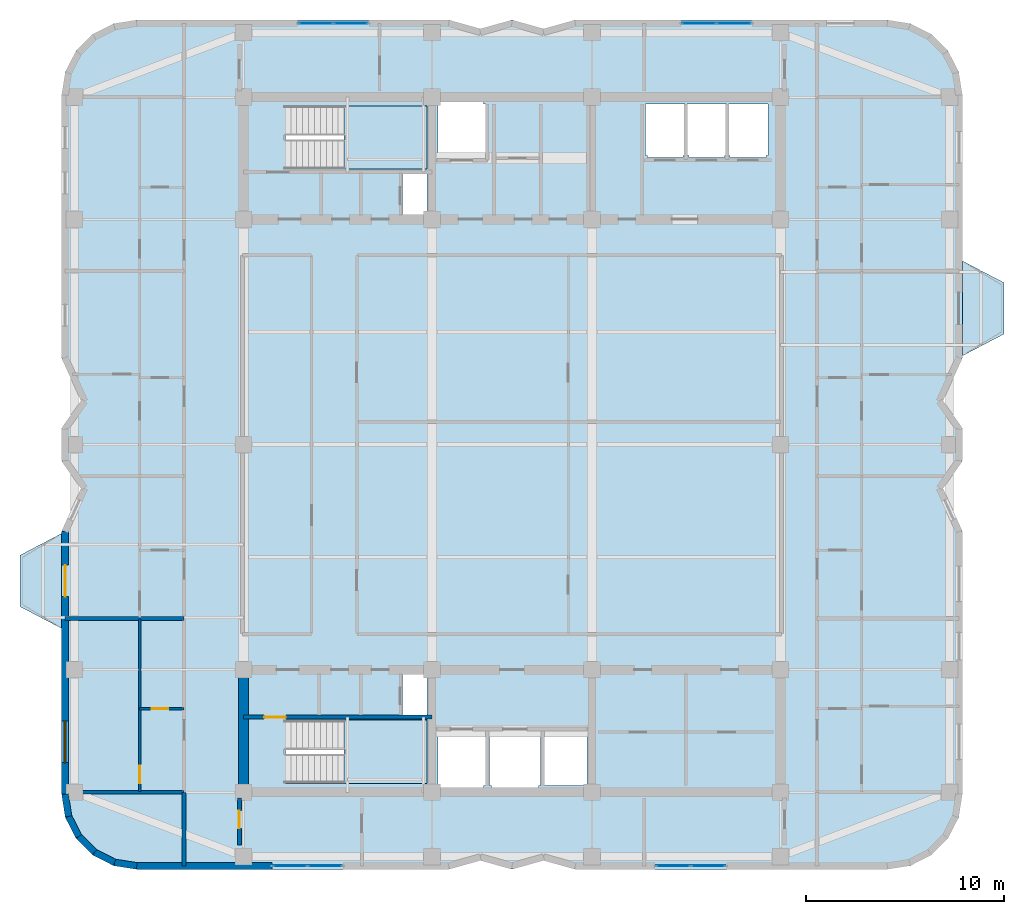
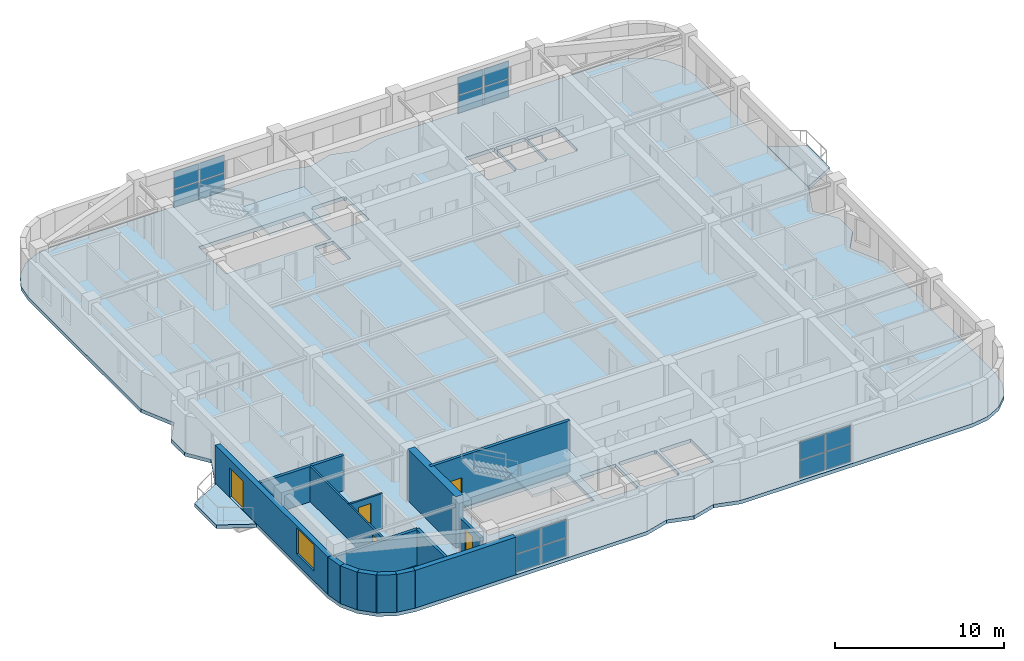
# One storey, part 7 of 14: 16 plates, 15 walls, 5 doors, 5 slabs, 1 window, 6 openings, 6 elements without a shape of their own.
"""IFC4 building model written with IfcOpenShell, lengths in metres."""

from ifc_helpers import new_model, si_unit, direction, frame, frame_2d, origin, origin_2d, place, context, subcontext, project, spatial, polyline, rectangle, outline, extrude, material, layer, layer_set, type_object, element, fill, aggregate, save


model = new_model("IFC4")

# Units and contexts
model_context = context("Model", 3, precision=1e-05, world=origin(), true_north=direction((0.0, 1.0)))
body_context = subcontext(model_context, "Body", "Model", "MODEL_VIEW")
ifc_project = project(units=[si_unit("LENGTHUNIT", "METRE"), si_unit("AREAUNIT", "SQUARE_METRE"), si_unit("VOLUMEUNIT", "CUBIC_METRE"), si_unit("PLANEANGLEUNIT", "RADIAN"), si_unit("MASSUNIT", "GRAM", prefix="KILO")], contexts=[model_context])

# Site, building, storey
site_placement = place(None, origin())
site = spatial("IfcSite", under=ifc_project, at=site_placement, CompositionType="ELEMENT")
building_placement = place(site_placement, origin())
building = spatial("IfcBuilding", under=site, at=building_placement, Name="Svetorya Sky Lyceum", CompositionType="ELEMENT")
storey_placement = place(building_placement, frame((0.0, 0.0, 218.39990234375)))
storey = spatial("IfcBuildingStorey", under=building, at=storey_placement, Name="L54", CompositionType="ELEMENT", Elevation=218.39990234375)

# Curtain wall, plates
ifc_material_1 = material(Name="Thermally broken anodized aluminium and triple low-E glass", Category="aluminium")
curtain_wall_type = type_object("IfcCurtainWallType", Name="CW3-LOG-RES", PredefinedType="NOTDEFINED", material=ifc_material_1)
curtain_wall_1_placement = place(storey_placement, origin())
curtain_wall_1 = element("IfcCurtainWall", 1, at=curtain_wall_1_placement, inside=storey, type_object=curtain_wall_type, Name="L54 Recessed Loggia Curtain Wall 6", PredefinedType="NOTDEFINED")
ifc_material_2 = material(Name="Triple insulated low-E solar-control glass", Category="glass")
ifc_layer_1 = layer(ifc_material_2, 0.048095703125)
ifc_layer_set_1 = layer_set([ifc_layer_1], Name="Triple insulated low-E solar-control glass")
plate_type = type_object("IfcPlateType", Name="CWP-GLZ-48", PredefinedType="CURTAIN_PANEL", material=ifc_layer_set_1)
plate_1_placement = place(storey_placement, frame((27.96630859375, 6.8701171875, 0.0634765625), z_axis=(0.0, 0.0, 1.0), x_axis=(1.0, 0.0, 0.0)))
plate_1 = element("IfcPlate", 2, at=plate_1_placement, type_object=plate_type, Name="CW-3 panel 1.1", PredefinedType="CURTAIN_PANEL", context=body_context, shape_type="SweptSolid", body=[
    extrude(rectangle(XDim=1.70556640625, YDim=0.048095703125, at=origin_2d()), origin(), (0.0, 0.0, 1.0), 1.265380859375),
])
plate_2_placement = place(storey_placement, frame((27.96630859375, 6.8701171875, 1.39111328125), z_axis=(0.0, 0.0, 1.0), x_axis=(1.0, 0.0, 0.0)))
plate_2 = element("IfcPlate", 3, at=plate_2_placement, type_object=plate_type, Name="CW-3 panel 1.2", PredefinedType="CURTAIN_PANEL", context=body_context, shape_type="SweptSolid", body=[
    extrude(rectangle(XDim=1.70556640625, YDim=0.048095703125, at=origin_2d()), origin(), (0.0, 0.0, 1.0), 1.265380859375),
])
plate_3_placement = place(storey_placement, frame((29.733642578125, 6.8701171875, 0.0634765625), z_axis=(0.0, 0.0, 1.0), x_axis=(1.0, 0.0, 0.0)))
plate_3 = element("IfcPlate", 4, at=plate_3_placement, type_object=plate_type, Name="CW-3 panel 2.1", PredefinedType="CURTAIN_PANEL", context=body_context, shape_type="SweptSolid", body=[
    extrude(rectangle(XDim=1.70556640625, YDim=0.048095703125, at=origin_2d()), origin(), (0.0, 0.0, 1.0), 1.265380859375),
])
plate_4_placement = place(storey_placement, frame((29.733642578125, 6.8701171875, 1.39111328125), z_axis=(0.0, 0.0, 1.0), x_axis=(1.0, 0.0, 0.0)))
plate_4 = element("IfcPlate", 5, at=plate_4_placement, type_object=plate_type, Name="CW-3 panel 2.2", PredefinedType="CURTAIN_PANEL", context=body_context, shape_type="SweptSolid", body=[
    extrude(rectangle(XDim=1.70556640625, YDim=0.048095703125, at=origin_2d()), origin(), (0.0, 0.0, 1.0), 1.265380859375),
])
aggregate(curtain_wall_1, [plate_1, plate_2, plate_3, plate_4])

curtain_wall_2_placement = place(storey_placement, origin())
curtain_wall_2 = element("IfcCurtainWall", 6, at=curtain_wall_2_placement, inside=storey, type_object=curtain_wall_type, Name="L54 Recessed Loggia Curtain Wall 11", PredefinedType="NOTDEFINED")
plate_5_placement = place(storey_placement, frame((47.3662109375, 6.8701171875, 0.0634765625), z_axis=(0.0, 0.0, 1.0), x_axis=(1.0, 0.0, 0.0)))
plate_5 = element("IfcPlate", 7, at=plate_5_placement, type_object=plate_type, Name="CW-3 panel 1.1", PredefinedType="CURTAIN_PANEL", context=body_context, shape_type="SweptSolid", body=[
    extrude(rectangle(XDim=1.70556640625, YDim=0.048095703125, at=origin_2d()), origin(), (0.0, 0.0, 1.0), 1.265380859375),
])
plate_6_placement = place(storey_placement, frame((47.3662109375, 6.8701171875, 1.39111328125), z_axis=(0.0, 0.0, 1.0), x_axis=(1.0, 0.0, 0.0)))
plate_6 = element("IfcPlate", 8, at=plate_6_placement, type_object=plate_type, Name="CW-3 panel 1.2", PredefinedType="CURTAIN_PANEL", context=body_context, shape_type="SweptSolid", body=[
    extrude(rectangle(XDim=1.70556640625, YDim=0.048095703125, at=origin_2d()), origin(), (0.0, 0.0, 1.0), 1.265380859375),
])
plate_7_placement = place(storey_placement, frame((49.1337890625, 6.8701171875, 0.0634765625), z_axis=(0.0, 0.0, 1.0), x_axis=(1.0, 0.0, 0.0)))
plate_7 = element("IfcPlate", 9, at=plate_7_placement, type_object=plate_type, Name="CW-3 panel 2.1", PredefinedType="CURTAIN_PANEL", context=body_context, shape_type="SweptSolid", body=[
    extrude(rectangle(XDim=1.70556640625, YDim=0.048095703125, at=origin_2d()), origin(), (0.0, 0.0, 1.0), 1.265380859375),
])
plate_8_placement = place(storey_placement, frame((49.1337890625, 6.8701171875, 1.39111328125), z_axis=(0.0, 0.0, 1.0), x_axis=(1.0, 0.0, 0.0)))
plate_8 = element("IfcPlate", 10, at=plate_8_placement, type_object=plate_type, Name="CW-3 panel 2.2", PredefinedType="CURTAIN_PANEL", context=body_context, shape_type="SweptSolid", body=[
    extrude(rectangle(XDim=1.70556640625, YDim=0.048095703125, at=origin_2d()), origin(), (0.0, 0.0, 1.0), 1.265380859375),
])
aggregate(curtain_wall_2, [plate_5, plate_6, plate_7, plate_8])

curtain_wall_3_placement = place(storey_placement, origin())
curtain_wall_3 = element("IfcCurtainWall", 11, at=curtain_wall_3_placement, inside=storey, type_object=curtain_wall_type, Name="L54 Recessed Loggia Curtain Wall 29", PredefinedType="NOTDEFINED")
plate_9_placement = place(storey_placement, frame((50.433837890625, 49.530029296875, 0.0634765625), z_axis=(0.0, 0.0, 1.0), x_axis=(-1.0, 0.0, 0.0)))
plate_9 = element("IfcPlate", 12, at=plate_9_placement, type_object=plate_type, Name="CW-3 panel 1.1", PredefinedType="CURTAIN_PANEL", context=body_context, shape_type="SweptSolid", body=[
    extrude(rectangle(XDim=1.70556640625, YDim=0.048095703125, at=origin_2d()), origin(), (0.0, 0.0, 1.0), 1.265380859375),
])
plate_10_placement = place(storey_placement, frame((50.433837890625, 49.530029296875, 1.39111328125), z_axis=(0.0, 0.0, 1.0), x_axis=(-1.0, 0.0, 0.0)))
plate_10 = element("IfcPlate", 13, at=plate_10_placement, type_object=plate_type, Name="CW-3 panel 1.2", PredefinedType="CURTAIN_PANEL", context=body_context, shape_type="SweptSolid", body=[
    extrude(rectangle(XDim=1.70556640625, YDim=0.048095703125, at=origin_2d()), origin(), (0.0, 0.0, 1.0), 1.265380859375),
])
plate_11_placement = place(storey_placement, frame((48.666259765625, 49.530029296875, 0.0634765625), z_axis=(0.0, 0.0, 1.0), x_axis=(-1.0, 0.0, 0.0)))
plate_11 = element("IfcPlate", 14, at=plate_11_placement, type_object=plate_type, Name="CW-3 panel 2.1", PredefinedType="CURTAIN_PANEL", context=body_context, shape_type="SweptSolid", body=[
    extrude(rectangle(XDim=1.70556640625, YDim=0.048095703125, at=origin_2d()), origin(), (0.0, 0.0, 1.0), 1.265380859375),
])
plate_12_placement = place(storey_placement, frame((48.666259765625, 49.530029296875, 1.39111328125), z_axis=(0.0, 0.0, 1.0), x_axis=(-1.0, 0.0, 0.0)))
plate_12 = element("IfcPlate", 15, at=plate_12_placement, type_object=plate_type, Name="CW-3 panel 2.2", PredefinedType="CURTAIN_PANEL", context=body_context, shape_type="SweptSolid", body=[
    extrude(rectangle(XDim=1.70556640625, YDim=0.048095703125, at=origin_2d()), origin(), (0.0, 0.0, 1.0), 1.265380859375),
])
aggregate(curtain_wall_3, [plate_9, plate_10, plate_11, plate_12])

curtain_wall_4_placement = place(storey_placement, origin())
curtain_wall_4 = element("IfcCurtainWall", 16, at=curtain_wall_4_placement, inside=storey, type_object=curtain_wall_type, Name="L54 Recessed Loggia Curtain Wall 34", PredefinedType="NOTDEFINED")
plate_13_placement = place(storey_placement, frame((31.03369140625, 49.530029296875, 0.0634765625), z_axis=(0.0, 0.0, 1.0), x_axis=(-1.0, 0.0, 0.0)))
plate_13 = element("IfcPlate", 17, at=plate_13_placement, type_object=plate_type, Name="CW-3 panel 1.1", PredefinedType="CURTAIN_PANEL", context=body_context, shape_type="SweptSolid", body=[
    extrude(rectangle(XDim=1.70556640625, YDim=0.048095703125, at=origin_2d()), origin(), (0.0, 0.0, 1.0), 1.265380859375),
])
plate_14_placement = place(storey_placement, frame((31.03369140625, 49.530029296875, 1.39111328125), z_axis=(0.0, 0.0, 1.0), x_axis=(-1.0, 0.0, 0.0)))
plate_14 = element("IfcPlate", 18, at=plate_14_placement, type_object=plate_type, Name="CW-3 panel 1.2", PredefinedType="CURTAIN_PANEL", context=body_context, shape_type="SweptSolid", body=[
    extrude(rectangle(XDim=1.70556640625, YDim=0.048095703125, at=origin_2d()), origin(), (0.0, 0.0, 1.0), 1.265380859375),
])
plate_15_placement = place(storey_placement, frame((29.266357421875, 49.530029296875, 0.0634765625), z_axis=(0.0, 0.0, 1.0), x_axis=(-1.0, 0.0, 0.0)))
plate_15 = element("IfcPlate", 19, at=plate_15_placement, type_object=plate_type, Name="CW-3 panel 2.1", PredefinedType="CURTAIN_PANEL", context=body_context, shape_type="SweptSolid", body=[
    extrude(rectangle(XDim=1.70556640625, YDim=0.048095703125, at=origin_2d()), origin(), (0.0, 0.0, 1.0), 1.265380859375),
])
plate_16_placement = place(storey_placement, frame((29.266357421875, 49.530029296875, 1.39111328125), z_axis=(0.0, 0.0, 1.0), x_axis=(-1.0, 0.0, 0.0)))
plate_16 = element("IfcPlate", 20, at=plate_16_placement, type_object=plate_type, Name="CW-3 panel 2.2", PredefinedType="CURTAIN_PANEL", context=body_context, shape_type="SweptSolid", body=[
    extrude(rectangle(XDim=1.70556640625, YDim=0.048095703125, at=origin_2d()), origin(), (0.0, 0.0, 1.0), 1.265380859375),
])
aggregate(curtain_wall_4, [plate_13, plate_14, plate_15, plate_16])

# Slabs
ifc_material_3 = material(Name="Concrete C40/50", Category="concrete")
ifc_layer_2 = layer(ifc_material_3, 0.260009765625)
ifc_layer_set_2 = layer_set([ifc_layer_2], Name="Concrete C40/50")
slab_type_1 = type_object("IfcSlabType", Name="SL-BAL-260", PredefinedType="FLOOR", material=ifc_layer_set_2)
slab_1_placement = place(storey_placement, frame((0.0, 0.0, -0.260009765625)))
element("IfcSlab", 21, at=slab_1_placement, inside=storey, type_object=slab_type_1, Name="L54 Chamfered Loggia Balcony BAL-W1", PredefinedType="FLOOR", context=body_context, shape_type="SweptSolid", body=[
    extrude(outline(polyline([(16.389892578125, 18.89990234375), (16.389892578125, 23.699951171875), (14.2900390625, 22.60009765625), (14.2900390625, 20.0), (16.389892578125, 18.89990234375)])), origin(), (0.0, 0.0, 1.0), 0.260009765625),
])
slab_2_placement = place(storey_placement, frame((0.0, 0.0, -0.260009765625)))
element("IfcSlab", 22, at=slab_2_placement, inside=storey, type_object=slab_type_1, Name="L54 Chamfered Loggia Balcony BAL-E1", PredefinedType="FLOOR", context=body_context, shape_type="SweptSolid", body=[
    extrude(outline(polyline([(62.010009765625, 32.699951171875), (64.110107421875, 33.800048828125), (64.110107421875, 36.39990234375), (62.010009765625, 37.5), (62.010009765625, 32.699951171875)])), origin(), (0.0, 0.0, 1.0), 0.260009765625),
])

# Stair, slab
stair_type_1 = type_object("IfcStairType", Name="STR-ST-S", PredefinedType="HALF_TURN_STAIR", material=ifc_material_3)
stair_1_placement = place(storey_placement, origin())
stair_1 = element("IfcStair", 23, at=stair_1_placement, inside=storey, type_object=stair_type_1, Name="L54 South Core Smoke-Free Exit Stair N2", PredefinedType="HALF_TURN_STAIR")
ifc_layer_3 = layer(ifc_material_3, 0.199951171875)
ifc_layer_set_3 = layer_set([ifc_layer_3], Name="Concrete C40/50")
slab_type_2 = type_object("IfcSlabType", Name="SL-STR-LAND-200", PredefinedType="LANDING", material=ifc_layer_set_3)
slab_3_placement = place(storey_placement, frame((0.0, 0.0, 1.650146484375)))
slab_3 = element("IfcSlab", 24, at=slab_3_placement, type_object=slab_type_2, Name="ST-S landing 1", PredefinedType="LANDING", context=body_context, shape_type="SweptSolid", body=[
    extrude(outline(polyline([(30.699951171875, 11.050048828125), (34.89990234375, 11.050048828125), (34.89990234375, 14.25), (30.699951171875, 14.25), (30.699951171875, 11.050048828125)])), origin(), (0.0, 0.0, 1.0), 0.199951171875),
])
aggregate(stair_1, [slab_3])

stair_type_2 = type_object("IfcStairType", Name="STR-ST-N", PredefinedType="HALF_TURN_STAIR", material=ifc_material_3)
stair_2_placement = place(storey_placement, origin())
stair_2 = element("IfcStair", 25, at=stair_2_placement, inside=storey, type_object=stair_type_2, Name="L54 North Core Smoke-Free Exit Stair N3", PredefinedType="HALF_TURN_STAIR")
slab_4_placement = place(storey_placement, frame((0.0, 0.0, 1.650146484375)))
slab_4 = element("IfcSlab", 26, at=slab_4_placement, type_object=slab_type_2, Name="ST-N landing 1", PredefinedType="LANDING", context=body_context, shape_type="SweptSolid", body=[
    extrude(outline(polyline([(30.699951171875, 42.14990234375), (34.89990234375, 42.14990234375), (34.89990234375, 45.35009765625), (30.699951171875, 45.35009765625), (30.699951171875, 42.14990234375)])), origin(), (0.0, 0.0, 1.0), 0.199951171875),
])
aggregate(stair_2, [slab_4])

# Slab
ifc_material_4 = material(Name="Concrete C50/60", Category="concrete")
ifc_layer_4 = layer(ifc_material_4, 0.260009765625)
ifc_layer_set_4 = layer_set([ifc_layer_4], Name="Concrete C50/60")
slab_type_3 = type_object("IfcSlabType", Name="SL-TWR-260", PredefinedType="FLOOR", material=ifc_layer_set_4)
slab_5_placement = place(storey_placement, frame((0.0, 0.0, -0.260009765625)))
element("IfcSlab", 27, at=slab_5_placement, inside=storey, type_object=slab_type_3, Name="L54 Structural Floor Slab", PredefinedType="FLOOR", context=body_context, shape_type="SweptSolid", body=[
    extrude(outline(polyline([(16.39990234375, 10.5), (16.5859375, 9.32568359375), (17.125732421875, 8.266357421875), (17.96630859375, 7.42578125), (19.025634765625, 6.885986328125), (20.199951171875, 6.699951171875), (36.0, 6.699951171875), (37.60009765625, 7.14990234375), (39.199951171875, 6.699951171875), (40.800048828125, 7.14990234375), (42.39990234375, 6.699951171875), (58.199951171875, 6.699951171875), (59.374267578125, 6.885986328125), (60.43359375, 7.42578125), (61.2744140625, 8.266357421875), (61.81396484375, 9.32568359375), (62.0, 10.5), (62.0, 23.800048828125), (61.0, 26.0), (62.0, 27.39990234375), (62.0, 29.0), (61.0, 30.39990234375), (62.0, 32.60009765625), (62.0, 45.89990234375), (61.81396484375, 47.07421875), (61.2744140625, 48.133544921875), (60.43359375, 48.974365234375), (59.374267578125, 49.513916015625), (58.199951171875, 49.699951171875), (42.39990234375, 49.699951171875), (40.800048828125, 49.25), (39.199951171875, 49.699951171875), (37.60009765625, 49.25), (36.0, 49.699951171875), (20.199951171875, 49.699951171875), (19.025634765625, 49.513916015625), (17.96630859375, 48.974365234375), (17.125732421875, 48.133544921875), (16.5859375, 47.07421875), (16.39990234375, 45.89990234375), (16.39990234375, 32.60009765625), (17.39990234375, 30.39990234375), (16.39990234375, 29.0), (16.39990234375, 27.39990234375), (17.39990234375, 26.0), (16.39990234375, 23.800048828125), (16.39990234375, 10.5)]), holes=[polyline([(37.85009765625, 10.949951171875), (37.75, 10.949951171875), (37.75, 10.85009765625), (35.550048828125, 10.85009765625), (35.550048828125, 10.949951171875), (35.449951171875, 10.949951171875), (35.449951171875, 13.64990234375), (35.550048828125, 13.64990234375), (37.75, 13.64990234375), (37.85009765625, 13.64990234375), (37.85009765625, 10.949951171875)]), polyline([(38.14990234375, 10.800048828125), (38.14990234375, 10.949951171875), (38.050048828125, 10.949951171875), (38.050048828125, 13.64990234375), (38.14990234375, 13.64990234375), (38.14990234375, 13.699951171875), (40.550048828125, 13.699951171875), (40.550048828125, 13.64990234375), (40.64990234375, 13.64990234375), (40.64990234375, 10.949951171875), (40.550048828125, 10.949951171875), (40.550048828125, 10.800048828125), (38.14990234375, 10.800048828125)]), polyline([(27.719970703125, 11.050048828125), (27.719970703125, 14.25), (34.89990234375, 14.25), (34.89990234375, 11.050048828125), (27.719970703125, 11.050048828125)]), polyline([(33.64990234375, 14.52001953125), (33.64990234375, 16.580078125), (34.89990234375, 16.580078125), (34.89990234375, 14.52001953125), (33.64990234375, 14.52001953125)]), polyline([(33.64990234375, 39.820068359375), (33.64990234375, 41.89990234375), (34.89990234375, 41.89990234375), (34.89990234375, 39.820068359375), (33.64990234375, 39.820068359375)]), polyline([(27.719970703125, 42.14990234375), (27.719970703125, 45.35009765625), (34.89990234375, 45.35009765625), (34.89990234375, 42.14990234375), (27.719970703125, 42.14990234375)]), polyline([(37.75, 42.75), (35.550048828125, 42.75), (35.449951171875, 42.75), (35.449951171875, 45.449951171875), (35.550048828125, 45.449951171875), (35.550048828125, 45.550048828125), (37.75, 45.550048828125), (37.75, 45.449951171875), (37.85009765625, 45.449951171875), (37.85009765625, 42.75), (37.75, 42.75)]), polyline([(40.85009765625, 10.949951171875), (40.85009765625, 13.64990234375), (43.0, 13.64990234375), (43.0, 10.949951171875), (40.85009765625, 10.949951171875)]), polyline([(46.050048828125, 42.75), (46.050048828125, 42.85009765625), (45.949951171875, 42.85009765625), (45.949951171875, 45.449951171875), (46.050048828125, 45.449951171875), (47.85009765625, 45.449951171875), (47.949951171875, 45.449951171875), (47.949951171875, 42.85009765625), (47.85009765625, 42.85009765625), (47.85009765625, 42.75), (46.050048828125, 42.75)]), polyline([(50.050048828125, 42.85009765625), (49.949951171875, 42.85009765625), (49.949951171875, 42.75), (48.14990234375, 42.75), (48.14990234375, 42.85009765625), (48.050048828125, 42.85009765625), (48.050048828125, 45.449951171875), (48.14990234375, 45.449951171875), (49.949951171875, 45.449951171875), (50.050048828125, 45.449951171875), (50.050048828125, 42.85009765625)]), polyline([(52.14990234375, 42.85009765625), (52.050048828125, 42.85009765625), (52.050048828125, 42.75), (50.25, 42.75), (50.25, 42.85009765625), (50.14990234375, 42.85009765625), (50.14990234375, 45.449951171875), (50.25, 45.449951171875), (52.050048828125, 45.449951171875), (52.14990234375, 45.449951171875), (52.14990234375, 42.85009765625)])]), origin(), (0.0, 0.0, 1.0), 0.260009765625),
])

# Walls
ifc_layer_5 = layer(ifc_material_4, 0.5)
ifc_layer_set_5 = layer_set([ifc_layer_5], Name="Concrete C50/60")
wall_type_1 = type_object("IfcWallType", Name="WL-CORE-500", PredefinedType="SHEAR", material=ifc_layer_set_5)
wall_1_placement = place(storey_placement, frame((25.60009765625, 10.85009765625, 0.0), z_axis=(0.0, 0.0, 1.0), x_axis=(0.0, 1.0, 0.0)))
element("IfcWall", 28, at=wall_1_placement, inside=storey, type_object=wall_type_1, Name="L54 SC West Core Shear Wall", PredefinedType="SHEAR", context=body_context, shape_type="SweptSolid", body=[
    extrude(rectangle(XDim=5.699951171875, YDim=0.5, at=frame_2d((2.85009765625, 0.0))), origin(), (0.0, 0.0, 1.0), 3.7001953125),
])
ifc_material_5 = material(Name="Putilovo limestone rainscreen on autoclaved cellular masonry", Category="masonry")
ifc_layer_6 = layer(ifc_material_5, 0.340087890625)
ifc_layer_set_6 = layer_set([ifc_layer_6], Name="Putilovo limestone rainscreen on autoclaved cellular masonry")
wall_type_2 = type_object("IfcWallType", Name="WL-EXT-340", PredefinedType="SOLIDWALL", material=ifc_layer_set_6)
wall_2_placement = place(storey_placement, frame((16.570068359375, 10.5, 0.0), z_axis=(0.0, 0.0, 1.0), x_axis=(0.156514556949, -0.987675651954, 0.0)))
element("IfcWall", 29, at=wall_2_placement, inside=storey, type_object=wall_type_2, Name="L54 Limestone Exterior Wall 1M", PredefinedType="SOLIDWALL", context=body_context, shape_type="SweptSolid", body=[
    extrude(rectangle(XDim=1.135498046875, YDim=0.340087890625, at=frame_2d((0.56787109375, 0.0))), origin(), (0.0, 0.0, 1.0), 2.72021484375),
])
for number, where, z_axis, x_axis, name in (
    (30, (16.747802734375, 9.37841796875, 0.0), (0.0, 0.0, 1.0), (0.45373580117, -0.891136253744, 0.0), "L54 Limestone Exterior Wall 2M"),
    (31, (17.26318359375, 8.3662109375, 0.0), (0.0, 0.0, 1.0), (0.707214252388, -0.706999293649, 0.0), "L54 Limestone Exterior Wall 3M"),
    (32, (18.06640625, 7.563232421875, 0.0), (0.0, 0.0, 1.0), (0.891005044957, -0.453993402883, 0.0), "L54 Limestone Exterior Wall 4M"),
):
    element("IfcWall", number, at=place(storey_placement, frame(where, z_axis=z_axis, x_axis=x_axis)), inside=storey, type_object=wall_type_2, Name=name, PredefinedType="SOLIDWALL", context=body_context, shape_type="SweptSolid", body=[
        extrude(rectangle(XDim=1.1357421875, YDim=0.340087890625, at=frame_2d((0.56787109375, 0.0))), origin(), (0.0, 0.0, 1.0), 2.72021484375),
    ])
wall_3_placement = place(storey_placement, frame((19.078369140625, 7.047607421875, 0.0), z_axis=(0.0, 0.0, 1.0), x_axis=(0.987708865555, -0.156304820474, 0.0)))
element("IfcWall", 33, at=wall_3_placement, inside=storey, type_object=wall_type_2, Name="L54 Limestone Exterior Wall 5M", PredefinedType="SOLIDWALL", context=body_context, shape_type="SweptSolid", body=[
    extrude(rectangle(XDim=1.135498046875, YDim=0.340087890625, at=frame_2d((0.56787109375, 0.0))), origin(), (0.0, 0.0, 1.0), 2.72021484375),
])
wall_4_placement = place(storey_placement, frame((20.199951171875, 6.8701171875, 0.0), z_axis=(0.0, 0.0, 1.0), x_axis=(1.0, 0.0, 0.0)))
element("IfcWall", 34, at=wall_4_placement, inside=storey, type_object=wall_type_2, Name="L54 Limestone Exterior Wall 6A", PredefinedType="SOLIDWALL", context=body_context, shape_type="SweptSolid", body=[
    extrude(rectangle(XDim=6.85009765625, YDim=0.340087890625, at=frame_2d((3.425048828125, 0.0))), origin(), (0.0, 0.0, 1.0), 2.72021484375),
])

# Wall, openings, door, window
wall_5_placement = place(storey_placement, frame((16.570068359375, 23.800048828125, 0.0), z_axis=(0.0, 0.0, 1.0), x_axis=(0.0, -1.0, 0.0)))
wall_5 = element("IfcWall", 35, at=wall_5_placement, inside=storey, type_object=wall_type_2, Name="L54 Limestone Exterior Wall 46M", PredefinedType="SOLIDWALL", context=body_context, shape_type="SweptSolid", body=[
    extrude(rectangle(XDim=13.300048828125, YDim=0.340087890625, at=frame_2d((6.64990234375, 0.0))), origin(), (0.0, 0.0, 1.0), 2.72021484375),
])
opening_1_placement = place(wall_5_placement, frame((1.699951171875, 0.0, 0.0)))
opening_1 = element("IfcOpeningElement", 36, at=opening_1_placement, cuts=wall_5, Name="Opening D-BL1", PredefinedType="OPENING", context=body_context, shape_type="SweptSolid", body=[
    extrude(rectangle(XDim=1.60009765625, YDim=2.10009765625, at=frame_2d((0.800048828125, 1.050048828125))), frame((0.0, 0.179931640625, 0.0), z_axis=(0.0, -1.0, 0.0), x_axis=(1.0, 0.0, 0.0)), (0.0, 0.0, 1.0), 0.360107421875),
])
opening_2_placement = place(wall_5_placement, frame((9.60009765625, 0.0, 0.699951171875)))
opening_2 = element("IfcOpeningElement", 37, at=opening_2_placement, cuts=wall_5, Name="Opening W-R0", PredefinedType="OPENING", context=body_context, shape_type="SweptSolid", body=[
    extrude(rectangle(XDim=2.10009765625, YDim=1.89990234375, at=frame_2d((1.050048828125, 0.949951171875))), frame((0.0, 0.179931640625, 0.0), z_axis=(0.0, -1.0, 0.0), x_axis=(1.0, 0.0, 0.0)), (0.0, 0.0, 1.0), 0.360107421875),
])
ifc_material_6 = material(Name="Insulated glazed aluminium balcony door", Category="aluminium")
door_type_1 = type_object("IfcDoorType", Name="DR-BAL-1600", OperationType="DOUBLE_DOOR_SINGLE_SWING", PredefinedType="DOOR", material=ifc_material_6)
door_1_placement = place(opening_1_placement, origin())
door_1 = element("IfcDoor", 38, at=door_1_placement, inside=storey, type_object=door_type_1, Name="L54 Balcony BAL-W1 Door", OperationType="DOUBLE_DOOR_SINGLE_SWING", OverallHeight=2.10009765625, OverallWidth=1.60009765625, PredefinedType="DOOR", context=body_context, shape_type="SweptSolid", body=[
    extrude(rectangle(XDim=1.60009765625, YDim=2.10009765625, at=frame_2d((0.800048828125, 1.050048828125))), frame((0.0, 0.02490234375, 0.0), z_axis=(0.0, -1.0, 0.0), x_axis=(1.0, 0.0, 0.0)), (0.0, 0.0, 1.0), 0.050048828125),
])
fill(opening_1, door_1)
ifc_material_7 = material(Name="Thermally broken aluminium frame with triple low-E glazing", Category="aluminium")
window_type = type_object("IfcWindowType", Name="WN-RES-210", PartitioningType="TRIPLE_PANEL_VERTICAL", PredefinedType="WINDOW", material=ifc_material_7)
window_placement = place(opening_2_placement, origin())
window = element("IfcWindow", 39, at=window_placement, inside=storey, type_object=window_type, Name="L54 Facade Window W-R0.46M.1", OverallHeight=1.89990234375, OverallWidth=2.10009765625, PartitioningType="SINGLE_PANEL", PredefinedType="WINDOW", context=body_context, shape_type="SweptSolid", body=[
    extrude(rectangle(XDim=2.10009765625, YDim=1.89990234375, at=frame_2d((1.050048828125, 0.949951171875))), frame((0.0, 0.030029296875, 0.0), z_axis=(0.0, -1.0, 0.0), x_axis=(1.0, 0.0, 0.0)), (0.0, 0.0, 1.0), 0.06005859375),
])
fill(opening_2, window)

# Wall, opening, door
ifc_material_8 = material(Name="Twin-stud galvanized framing with double fireboard", Category="gypsum")
ifc_layer_7 = layer(ifc_material_8, 0.1201171875)
ifc_layer_set_7 = layer_set([ifc_layer_7], Name="Twin-stud galvanized framing with double fireboard")
wall_type_3 = type_object("IfcWallType", Name="WL-PART-120", PredefinedType="PARTITIONING", material=ifc_layer_set_7)
wall_6_placement = place(storey_placement, frame((20.35009765625, 14.820068359375, 0.0), z_axis=(0.0, 0.0, 1.0), x_axis=(1.0, 0.0, 0.0)))
wall_6 = element("IfcWall", 40, at=wall_6_placement, inside=storey, type_object=wall_type_3, Name="L54 Interior Partition W1-WH1", PredefinedType="PARTITIONING", context=body_context, shape_type="SweptSolid", body=[
    extrude(rectangle(XDim=2.25, YDim=0.1201171875, at=frame_2d((1.125, 0.0))), origin(), (0.0, 0.0, 1.0), 2.550048828125),
])
opening_3_placement = place(wall_6_placement, frame((0.60009765625, 0.0, 0.0)))
opening_3 = element("IfcOpeningElement", 41, at=opening_3_placement, cuts=wall_6, Name="Opening D-BT1", PredefinedType="OPENING", context=body_context, shape_type="SweptSolid", body=[
    extrude(rectangle(XDim=0.85009765625, YDim=2.10009765625, at=frame_2d((0.425048828125, 1.050048828125))), frame((0.0, 0.070068359375, 0.0), z_axis=(0.0, -1.0, 0.0), x_axis=(1.0, 0.0, 0.0)), (0.0, 0.0, 1.0), 0.14013671875),
])
ifc_material_9 = material(Name="Moisture-resistant laminate bathroom door")
door_type_2 = type_object("IfcDoorType", Name="DR-WET-850", OperationType="SINGLE_SWING_LEFT", PredefinedType="DOOR", material=ifc_material_9)
door_2_placement = place(opening_3_placement, origin())
door_2 = element("IfcDoor", 42, at=door_2_placement, inside=storey, type_object=door_type_2, Name="Apartment W1 Bathroom Door", OperationType="SINGLE_SWING_LEFT", OverallHeight=2.10009765625, OverallWidth=0.85009765625, PredefinedType="DOOR", context=body_context, shape_type="SweptSolid", body=[
    extrude(rectangle(XDim=0.85009765625, YDim=2.10009765625, at=frame_2d((0.425048828125, 1.050048828125))), frame((0.0, 0.02490234375, 0.0), z_axis=(0.0, -1.0, 0.0), x_axis=(1.0, 0.0, 0.0)), (0.0, 0.0, 1.0), 0.050048828125),
])
fill(opening_3, door_2)

wall_7_placement = place(storey_placement, frame((20.35009765625, 10.639892578125, 0.0), z_axis=(0.0, 0.0, 1.0), x_axis=(0.0, 1.0, 0.0)))
wall_7 = element("IfcWall", 43, at=wall_7_placement, inside=storey, type_object=wall_type_3, Name="L54 Interior Partition W1-WV", PredefinedType="PARTITIONING", context=body_context, shape_type="SweptSolid", body=[
    extrude(rectangle(XDim=8.72021484375, YDim=0.1201171875, at=frame_2d((4.360107421875, 0.0))), origin(), (0.0, 0.0, 1.0), 2.550048828125),
])
opening_4_placement = place(wall_7_placement, frame((0.409912109375, 0.0, 0.0)))
opening_4 = element("IfcOpeningElement", 44, at=opening_4_placement, cuts=wall_7, Name="Opening D-RM1", PredefinedType="OPENING", context=body_context, shape_type="SweptSolid", body=[
    extrude(rectangle(XDim=0.89990234375, YDim=2.10009765625, at=frame_2d((0.449951171875, 1.050048828125))), frame((0.0, 0.070068359375, 0.0), z_axis=(0.0, -1.0, 0.0), x_axis=(1.0, 0.0, 0.0)), (0.0, 0.0, 1.0), 0.14013671875),
])
ifc_material_10 = material(Name="Lacquered birch veneer internal door")
door_type_3 = type_object("IfcDoorType", Name="DR-INT-900", OperationType="SINGLE_SWING_LEFT", PredefinedType="DOOR", material=ifc_material_10)
door_3_placement = place(opening_4_placement, origin())
door_3 = element("IfcDoor", 45, at=door_3_placement, inside=storey, type_object=door_type_3, Name="Apartment W1 Living Door", OperationType="SINGLE_SWING_RIGHT", OverallHeight=2.10009765625, OverallWidth=0.89990234375, PredefinedType="DOOR", context=body_context, shape_type="SweptSolid", body=[
    extrude(rectangle(XDim=0.89990234375, YDim=2.10009765625, at=frame_2d((0.449951171875, 1.050048828125))), frame((0.0, 0.02490234375, 0.0), z_axis=(0.0, -1.0, 0.0), x_axis=(1.0, 0.0, 0.0)), (0.0, 0.0, 1.0), 0.050048828125),
])
fill(opening_4, door_3)

# Walls
ifc_material_11 = material(Name="Autoclaved cellular masonry blockwork with gypsum plaster", Category="masonry")
ifc_layer_8 = layer(ifc_material_11, 0.199951171875)
ifc_layer_set_8 = layer_set([ifc_layer_8], Name="Autoclaved cellular masonry blockwork with gypsum plaster")
wall_type_4 = type_object("IfcWallType", Name="WL-PART-200", PredefinedType="PARTITIONING", material=ifc_layer_set_8)
wall_8_placement = place(storey_placement, frame((16.570068359375, 19.39990234375, 0.0), z_axis=(0.0, 0.0, 1.0), x_axis=(1.0, 0.0, 0.0)))
element("IfcWall", 46, at=wall_8_placement, inside=storey, type_object=wall_type_4, Name="L54 Interior Partition W-PARTY-1", PredefinedType="PARTITIONING", context=body_context, shape_type="SweptSolid", body=[
    extrude(rectangle(XDim=6.030029296875, YDim=0.199951171875, at=frame_2d((3.01513671875, 0.0))), origin(), (0.0, 0.0, 1.0), 2.550048828125),
])
wall_9_placement = place(storey_placement, frame((16.989990234375, 10.60009765625, 0.0), z_axis=(0.0, 0.0, 1.0), x_axis=(1.0, 0.0, 0.0)))
element("IfcWall", 47, at=wall_9_placement, inside=storey, type_object=wall_type_4, Name="L54 Interior Partition W-CAP-S", PredefinedType="PARTITIONING", context=body_context, shape_type="SweptSolid", body=[
    extrude(rectangle(XDim=5.610107421875, YDim=0.199951171875, at=frame_2d((2.80517578125, 0.0))), origin(), (0.0, 0.0, 1.0), 2.550048828125),
])
wall_10_placement = place(storey_placement, frame((22.60009765625, 6.8701171875, 0.0), z_axis=(0.0, 0.0, 1.0), x_axis=(0.0, 1.0, 0.0)))
element("IfcWall", 48, at=wall_10_placement, inside=storey, type_object=wall_type_4, Name="L54 Interior Partition WC-SW-END", PredefinedType="PARTITIONING", context=body_context, shape_type="SweptSolid", body=[
    extrude(rectangle(XDim=3.72998046875, YDim=0.199951171875, at=frame_2d((1.864990234375, 0.0))), origin(), (0.0, 0.0, 1.0), 2.550048828125),
])

# Wall, opening, door
wall_11_placement = place(storey_placement, frame((25.39990234375, 7.919921875, 0.0), z_axis=(0.0, 0.0, 1.0), x_axis=(0.0, 1.0, 0.0)))
wall_11 = element("IfcWall", 49, at=wall_11_placement, inside=storey, type_object=wall_type_4, Name="L54 Interior Partition S-EW", PredefinedType="PARTITIONING", context=body_context, shape_type="SweptSolid", body=[
    extrude(rectangle(XDim=2.380126953125, YDim=0.199951171875, at=frame_2d((1.18994140625, 0.0))), origin(), (0.0, 0.0, 1.0), 2.550048828125),
])
opening_5_placement = place(wall_11_placement, frame((0.85009765625, 0.0, 0.0)))
opening_5 = element("IfcOpeningElement", 50, at=opening_5_placement, cuts=wall_11, Name="Opening D-RM1", PredefinedType="OPENING", context=body_context, shape_type="SweptSolid", body=[
    extrude(rectangle(XDim=0.89990234375, YDim=2.10009765625, at=frame_2d((0.449951171875, 1.050048828125))), frame((0.0, 0.10986328125, 0.0), z_axis=(0.0, -1.0, 0.0), x_axis=(1.0, 0.0, 0.0)), (0.0, 0.0, 1.0), 0.219970703125),
])
door_4_placement = place(opening_5_placement, origin())
door_4 = element("IfcDoor", 51, at=door_4_placement, inside=storey, type_object=door_type_3, Name="L54 South Study Door", OperationType="SINGLE_SWING_LEFT", OverallHeight=2.10009765625, OverallWidth=0.89990234375, PredefinedType="DOOR", context=body_context, shape_type="SweptSolid", body=[
    extrude(rectangle(XDim=0.89990234375, YDim=2.10009765625, at=frame_2d((0.449951171875, 1.050048828125))), frame((0.0, 0.02490234375, 0.0), z_axis=(0.0, -1.0, 0.0), x_axis=(1.0, 0.0, 0.0)), (0.0, 0.0, 1.0), 0.050048828125),
])
fill(opening_5, door_4)

ifc_layer_9 = layer(ifc_material_4, 0.199951171875)
ifc_layer_set_9 = layer_set([ifc_layer_9], Name="Concrete C50/60")
wall_type_5 = type_object("IfcWallType", Name="WL-SHW-200", PredefinedType="SHEAR", material=ifc_layer_set_9)
wall_12_placement = place(storey_placement, frame((25.60009765625, 14.39990234375, 0.0), z_axis=(0.0, 0.0, 1.0), x_axis=(1.0, 0.0, 0.0)))
wall_12 = element("IfcWall", 52, at=wall_12_placement, inside=storey, type_object=wall_type_5, Name="L54 Structural Stair Shaft Wall SC-STW", PredefinedType="SHEAR", context=body_context, shape_type="SweptSolid", body=[
    extrude(rectangle(XDim=9.5498046875, YDim=0.199951171875, at=frame_2d((4.77490234375, 0.0))), origin(), (0.0, 0.0, 1.0), 3.7001953125),
])
opening_6_placement = place(wall_12_placement, frame((1.050048828125, 0.0, 0.0)))
opening_6 = element("IfcOpeningElement", 53, at=opening_6_placement, cuts=wall_12, Name="Opening D-ST1", PredefinedType="OPENING", context=body_context, shape_type="SweptSolid", body=[
    extrude(rectangle(XDim=1.10009765625, YDim=2.14990234375, at=frame_2d((0.550048828125, 1.074951171875))), frame((0.0, 0.10986328125, 0.0), z_axis=(0.0, -1.0, 0.0), x_axis=(1.0, 0.0, 0.0)), (0.0, 0.0, 1.0), 0.219970703125),
])
ifc_material_12 = material(Name="Powder-coated insulated galvanized stair fire door")
door_type_4 = type_object("IfcDoorType", Name="DR-FIRE-1100", OperationType="SINGLE_SWING_LEFT", PredefinedType="DOOR", material=ifc_material_12)
door_5_placement = place(opening_6_placement, origin())
door_5 = element("IfcDoor", 54, at=door_5_placement, inside=storey, type_object=door_type_4, Name="L54 Stair ST-S Vestibule Fire Door", OperationType="SINGLE_SWING_LEFT", OverallHeight=2.14990234375, OverallWidth=1.10009765625, PredefinedType="DOOR", context=body_context, shape_type="SweptSolid", body=[
    extrude(rectangle(XDim=1.10009765625, YDim=2.14990234375, at=frame_2d((0.550048828125, 1.074951171875))), frame((0.0, 0.02490234375, 0.0), z_axis=(0.0, -1.0, 0.0), x_axis=(1.0, 0.0, 0.0)), (0.0, 0.0, 1.0), 0.050048828125),
])
fill(opening_6, door_5)

save(model, "model.ifc")
